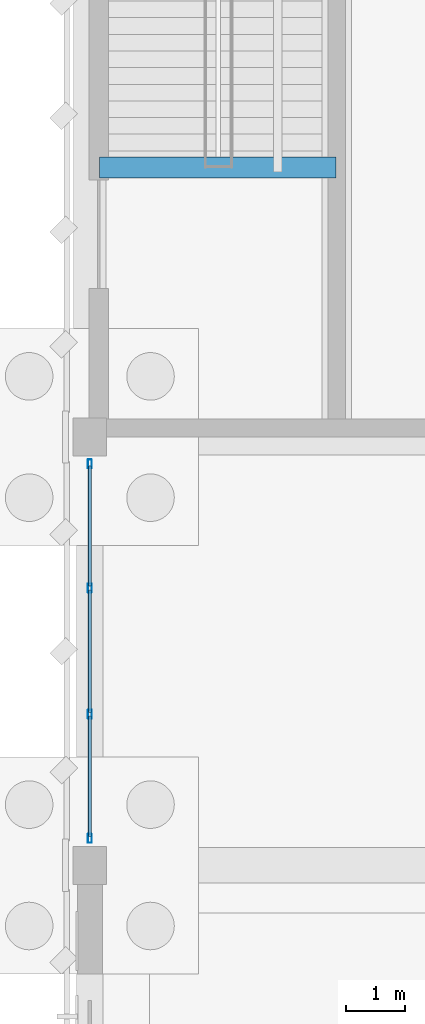
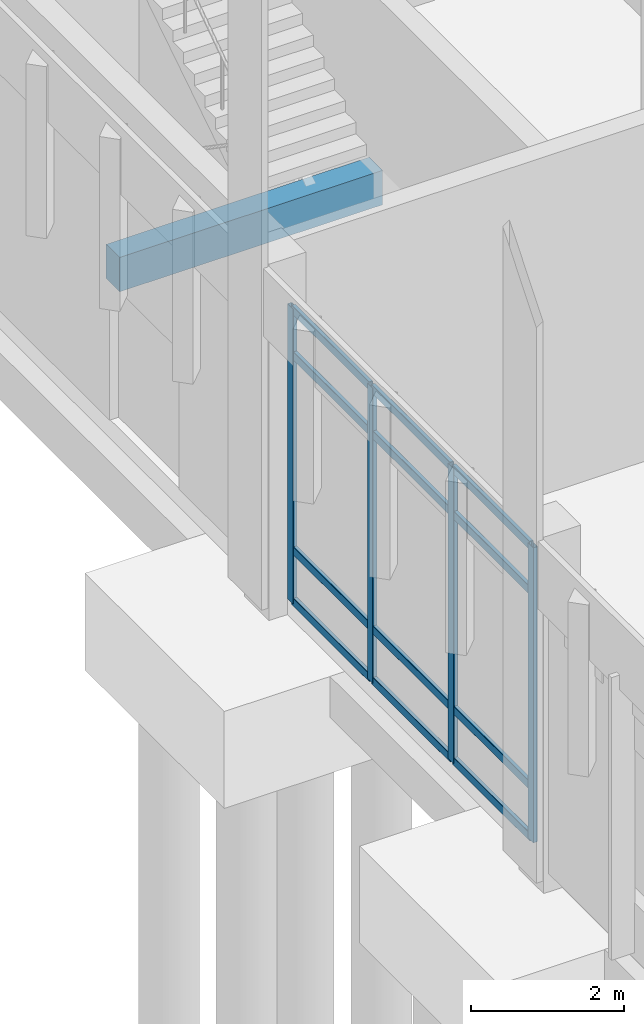
# One storey, part 41 of 109: 16 members, 1 beam, 1 element without a shape of its own.
"""IFC4 building model written with IfcOpenShell, lengths in metres."""

from ifc_helpers import new_model, si_unit, direction, frame, origin, origin_2d, place, context, subcontext, project, spatial, rectangle, hollow_rectangle, extrude, material, material_profile, profile_set, type_object, element, aggregate, save


model = new_model("IFC4")

# Units and contexts
model_context = context("Model", 3, precision=1e-05, world=origin(), true_north=direction((0.0, 1.0)))
body_context = subcontext(model_context, "Body", "Model", "MODEL_VIEW")
ifc_project = project(units=[si_unit("LENGTHUNIT", "METRE"), si_unit("AREAUNIT", "SQUARE_METRE"), si_unit("VOLUMEUNIT", "CUBIC_METRE"), si_unit("PLANEANGLEUNIT", "RADIAN"), si_unit("MASSUNIT", "GRAM", prefix="KILO")], contexts=[model_context])

# Site, building, storey
site_placement = place(None, origin())
site = spatial("IfcSite", under=ifc_project, at=site_placement, CompositionType="ELEMENT")
building_placement = place(site_placement, origin())
building = spatial("IfcBuilding", under=site, at=building_placement, Name="Lusvemor Sports Hall", CompositionType="ELEMENT")
storey_placement = place(building_placement, origin())
storey = spatial("IfcBuildingStorey", under=building, at=storey_placement, Name="L00", CompositionType="ELEMENT", Elevation=0.0)

# Beam
ifc_material_1 = material(Name="Concrete C40/50", Category="concrete")
ifc_material_profile_1 = material_profile(ifc_material_1, rectangle(XDim=0.35009765625, YDim=0.550048828125, at=origin_2d()), Name="RC350x550")
ifc_profile_set_1 = profile_set([ifc_material_profile_1], Name="Concrete C40/50")
beam_type = type_object("IfcBeamType", Name="BEAM_RC_550", PredefinedType="BEAM", material=ifc_profile_set_1)
beam_placement = place(storey_placement, frame((0.159912109375, 108.929931640625, 2.2451171875), z_axis=(1.0, 0.0, 0.0), x_axis=(0.0, 1.0, 0.0)))
element("IfcBeam", 1, at=beam_placement, inside=storey, type_object=beam_type, Name="Stair STR-C1-L00 Mid-Landing Beam", PredefinedType="BEAM", context=body_context, shape_type="SweptSolid", body=[
    extrude(rectangle(XDim=0.35009765625, YDim=0.550048828125, at=origin_2d()), origin(), (0.0, 0.0, 1.0), 3.97998046875),
])

# Curtain wall, members
ifc_material_2 = material(Name="Thermally broken bronze-anodized aluminium", Category="aluminium")
curtain_wall_type = type_object("IfcCurtainWallType", Name="CW_WING_B", PredefinedType="NOTDEFINED", material=ifc_material_2)
curtain_wall_placement = place(storey_placement, origin())
curtain_wall = element("IfcCurtainWall", 2, at=curtain_wall_placement, inside=storey, type_object=curtain_wall_type, Name="Curtain Wall CW-L00-W-0-7", PredefinedType="NOTDEFINED")
ifc_material_3 = material(Name="Thermally broken bronze-anodized aluminium", Category="aluminium")
ifc_material_profile_2 = material_profile(ifc_material_3, hollow_rectangle(XDim=0.06494140625, YDim=0.14990234375, WallThickness=0.00390625, InnerFilletRadius=0.00390625, OuterFilletRadius=0.008056640625, at=origin_2d()), Name="CWMUL150x65x4")
ifc_profile_set_2 = profile_set([ifc_material_profile_2], Name="Thermally broken bronze-anodized aluminium")
member_type_1 = type_object("IfcMemberType", Name="CW_MUL_B", PredefinedType="MULLION", material=ifc_profile_set_2)
member_1_placement = place(storey_placement, frame((0.0, 97.652587890625, 0.0), z_axis=(0.0, 0.0, 1.0), x_axis=(-1.0, 0.0, 0.0)))
member_1 = element("IfcMember", 3, at=member_1_placement, type_object=member_type_1, Name="CW02 mullion 1", PredefinedType="MULLION", context=body_context, shape_type="SweptSolid", body=[
    extrude(hollow_rectangle(XDim=0.06494140625, YDim=0.14990234375, WallThickness=0.00390625, InnerFilletRadius=0.00390625, OuterFilletRadius=0.008056640625, at=origin_2d()), origin(), (0.0, 0.0, 1.0), 4.719970703125),
])
member_2_placement = place(storey_placement, frame((0.0, 99.739990234375, 0.0), z_axis=(0.0, 0.0, 1.0), x_axis=(-1.0, 0.0, 0.0)))
member_2 = element("IfcMember", 4, at=member_2_placement, type_object=member_type_1, Name="CW02 mullion 2", PredefinedType="MULLION", context=body_context, shape_type="SweptSolid", body=[
    extrude(hollow_rectangle(XDim=0.06494140625, YDim=0.14990234375, WallThickness=0.00390625, InnerFilletRadius=0.00390625, OuterFilletRadius=0.008056640625, at=origin_2d()), origin(), (0.0, 0.0, 1.0), 4.719970703125),
])
member_3_placement = place(storey_placement, frame((0.0, 101.860107421875, 0.0), z_axis=(0.0, 0.0, 1.0), x_axis=(-1.0, 0.0, 0.0)))
member_3 = element("IfcMember", 5, at=member_3_placement, type_object=member_type_1, Name="CW02 mullion 3", PredefinedType="MULLION", context=body_context, shape_type="SweptSolid", body=[
    extrude(hollow_rectangle(XDim=0.06494140625, YDim=0.14990234375, WallThickness=0.00390625, InnerFilletRadius=0.00390625, OuterFilletRadius=0.008056640625, at=origin_2d()), origin(), (0.0, 0.0, 1.0), 4.719970703125),
])
member_4_placement = place(storey_placement, frame((0.0, 103.947509765625, 0.0), z_axis=(0.0, 0.0, 1.0), x_axis=(-1.0, 0.0, 0.0)))
member_4 = element("IfcMember", 6, at=member_4_placement, type_object=member_type_1, Name="CW02 mullion 4", PredefinedType="MULLION", context=body_context, shape_type="SweptSolid", body=[
    extrude(hollow_rectangle(XDim=0.06494140625, YDim=0.14990234375, WallThickness=0.00390625, InnerFilletRadius=0.00390625, OuterFilletRadius=0.008056640625, at=origin_2d()), origin(), (0.0, 0.0, 1.0), 4.719970703125),
])
ifc_material_4 = material(Name="Thermally broken bronze-anodized aluminium", Category="aluminium")
ifc_material_profile_3 = material_profile(ifc_material_4, hollow_rectangle(XDim=0.06005859375, YDim=0.135009765625, WallThickness=0.00390625, InnerFilletRadius=0.00390625, OuterFilletRadius=0.008056640625, at=origin_2d()), Name="CWTRN135x60x4")
ifc_profile_set_3 = profile_set([ifc_material_profile_3], Name="Thermally broken bronze-anodized aluminium")
member_type_2 = type_object("IfcMemberType", Name="CW_TRN_B", PredefinedType="USERDEFINED", material=ifc_profile_set_3)
member_5_placement = place(storey_placement, frame((0.0, 97.68505859375, 0.030029296875), z_axis=(0.0, 1.0, 0.0), x_axis=(-1.0, 0.0, 0.0)))
member_5 = element("IfcMember", 7, at=member_5_placement, type_object=member_type_2, Name="CW02 transom 1.1", ObjectType="TRANSOM", PredefinedType="USERDEFINED", context=body_context, shape_type="SweptSolid", body=[
    extrude(hollow_rectangle(XDim=0.06005859375, YDim=0.135009765625, WallThickness=0.00390625, InnerFilletRadius=0.00390625, OuterFilletRadius=0.008056640625, at=origin_2d()), origin(), (0.0, 0.0, 1.0), 2.0224609375),
])
member_6_placement = place(storey_placement, frame((0.0, 97.68505859375, 0.85009765625), z_axis=(0.0, 1.0, 0.0), x_axis=(-1.0, 0.0, 0.0)))
member_6 = element("IfcMember", 8, at=member_6_placement, type_object=member_type_2, Name="CW02 transom 1.2", ObjectType="TRANSOM", PredefinedType="USERDEFINED", context=body_context, shape_type="SweptSolid", body=[
    extrude(hollow_rectangle(XDim=0.06005859375, YDim=0.135009765625, WallThickness=0.00390625, InnerFilletRadius=0.00390625, OuterFilletRadius=0.008056640625, at=origin_2d()), origin(), (0.0, 0.0, 1.0), 2.0224609375),
])
member_7_placement = place(storey_placement, frame((0.0, 97.68505859375, 3.969970703125), z_axis=(0.0, 1.0, 0.0), x_axis=(-1.0, 0.0, 0.0)))
member_7 = element("IfcMember", 9, at=member_7_placement, type_object=member_type_2, Name="CW02 transom 1.3", ObjectType="TRANSOM", PredefinedType="USERDEFINED", context=body_context, shape_type="SweptSolid", body=[
    extrude(hollow_rectangle(XDim=0.06005859375, YDim=0.135009765625, WallThickness=0.00390625, InnerFilletRadius=0.00390625, OuterFilletRadius=0.008056640625, at=origin_2d()), origin(), (0.0, 0.0, 1.0), 2.0224609375),
])
member_8_placement = place(storey_placement, frame((0.0, 97.68505859375, 4.68994140625), z_axis=(0.0, 1.0, 0.0), x_axis=(-1.0, 0.0, 0.0)))
member_8 = element("IfcMember", 10, at=member_8_placement, type_object=member_type_2, Name="CW02 transom 1.4", ObjectType="TRANSOM", PredefinedType="USERDEFINED", context=body_context, shape_type="SweptSolid", body=[
    extrude(hollow_rectangle(XDim=0.06005859375, YDim=0.135009765625, WallThickness=0.00390625, InnerFilletRadius=0.00390625, OuterFilletRadius=0.008056640625, at=origin_2d()), origin(), (0.0, 0.0, 1.0), 2.0224609375),
])
member_9_placement = place(storey_placement, frame((0.0, 99.7724609375, 0.030029296875), z_axis=(0.0, 1.0, 0.0), x_axis=(-1.0, 0.0, 0.0)))
member_9 = element("IfcMember", 11, at=member_9_placement, type_object=member_type_2, Name="CW02 transom 2.1", ObjectType="TRANSOM", PredefinedType="USERDEFINED", context=body_context, shape_type="SweptSolid", body=[
    extrude(hollow_rectangle(XDim=0.06005859375, YDim=0.135009765625, WallThickness=0.00390625, InnerFilletRadius=0.00390625, OuterFilletRadius=0.008056640625, at=origin_2d()), origin(), (0.0, 0.0, 1.0), 2.054931640625),
])
member_10_placement = place(storey_placement, frame((0.0, 99.7724609375, 0.85009765625), z_axis=(0.0, 1.0, 0.0), x_axis=(-1.0, 0.0, 0.0)))
member_10 = element("IfcMember", 12, at=member_10_placement, type_object=member_type_2, Name="CW02 transom 2.2", ObjectType="TRANSOM", PredefinedType="USERDEFINED", context=body_context, shape_type="SweptSolid", body=[
    extrude(hollow_rectangle(XDim=0.06005859375, YDim=0.135009765625, WallThickness=0.00390625, InnerFilletRadius=0.00390625, OuterFilletRadius=0.008056640625, at=origin_2d()), origin(), (0.0, 0.0, 1.0), 2.054931640625),
])
member_11_placement = place(storey_placement, frame((0.0, 99.7724609375, 3.969970703125), z_axis=(0.0, 1.0, 0.0), x_axis=(-1.0, 0.0, 0.0)))
member_11 = element("IfcMember", 13, at=member_11_placement, type_object=member_type_2, Name="CW02 transom 2.3", ObjectType="TRANSOM", PredefinedType="USERDEFINED", context=body_context, shape_type="SweptSolid", body=[
    extrude(hollow_rectangle(XDim=0.06005859375, YDim=0.135009765625, WallThickness=0.00390625, InnerFilletRadius=0.00390625, OuterFilletRadius=0.008056640625, at=origin_2d()), origin(), (0.0, 0.0, 1.0), 2.054931640625),
])
member_12_placement = place(storey_placement, frame((0.0, 99.7724609375, 4.68994140625), z_axis=(0.0, 1.0, 0.0), x_axis=(-1.0, 0.0, 0.0)))
member_12 = element("IfcMember", 14, at=member_12_placement, type_object=member_type_2, Name="CW02 transom 2.4", ObjectType="TRANSOM", PredefinedType="USERDEFINED", context=body_context, shape_type="SweptSolid", body=[
    extrude(hollow_rectangle(XDim=0.06005859375, YDim=0.135009765625, WallThickness=0.00390625, InnerFilletRadius=0.00390625, OuterFilletRadius=0.008056640625, at=origin_2d()), origin(), (0.0, 0.0, 1.0), 2.054931640625),
])
member_13_placement = place(storey_placement, frame((0.0, 101.892578125, 0.030029296875), z_axis=(0.0, 1.0, 0.0), x_axis=(-1.0, 0.0, 0.0)))
member_13 = element("IfcMember", 15, at=member_13_placement, type_object=member_type_2, Name="CW02 transom 3.1", ObjectType="TRANSOM", PredefinedType="USERDEFINED", context=body_context, shape_type="SweptSolid", body=[
    extrude(hollow_rectangle(XDim=0.06005859375, YDim=0.135009765625, WallThickness=0.00390625, InnerFilletRadius=0.00390625, OuterFilletRadius=0.008056640625, at=origin_2d()), origin(), (0.0, 0.0, 1.0), 2.0224609375),
])
member_14_placement = place(storey_placement, frame((0.0, 101.892578125, 0.85009765625), z_axis=(0.0, 1.0, 0.0), x_axis=(-1.0, 0.0, 0.0)))
member_14 = element("IfcMember", 16, at=member_14_placement, type_object=member_type_2, Name="CW02 transom 3.2", ObjectType="TRANSOM", PredefinedType="USERDEFINED", context=body_context, shape_type="SweptSolid", body=[
    extrude(hollow_rectangle(XDim=0.06005859375, YDim=0.135009765625, WallThickness=0.00390625, InnerFilletRadius=0.00390625, OuterFilletRadius=0.008056640625, at=origin_2d()), origin(), (0.0, 0.0, 1.0), 2.0224609375),
])
member_15_placement = place(storey_placement, frame((0.0, 101.892578125, 3.969970703125), z_axis=(0.0, 1.0, 0.0), x_axis=(-1.0, 0.0, 0.0)))
member_15 = element("IfcMember", 17, at=member_15_placement, type_object=member_type_2, Name="CW02 transom 3.3", ObjectType="TRANSOM", PredefinedType="USERDEFINED", context=body_context, shape_type="SweptSolid", body=[
    extrude(hollow_rectangle(XDim=0.06005859375, YDim=0.135009765625, WallThickness=0.00390625, InnerFilletRadius=0.00390625, OuterFilletRadius=0.008056640625, at=origin_2d()), origin(), (0.0, 0.0, 1.0), 2.0224609375),
])
member_16_placement = place(storey_placement, frame((0.0, 101.892578125, 4.68994140625), z_axis=(0.0, 1.0, 0.0), x_axis=(-1.0, 0.0, 0.0)))
member_16 = element("IfcMember", 18, at=member_16_placement, type_object=member_type_2, Name="CW02 transom 3.4", ObjectType="TRANSOM", PredefinedType="USERDEFINED", context=body_context, shape_type="SweptSolid", body=[
    extrude(hollow_rectangle(XDim=0.06005859375, YDim=0.135009765625, WallThickness=0.00390625, InnerFilletRadius=0.00390625, OuterFilletRadius=0.008056640625, at=origin_2d()), origin(), (0.0, 0.0, 1.0), 2.0224609375),
])
aggregate(curtain_wall, [member_1, member_2, member_3, member_4, member_5, member_6, member_7, member_8, member_9, member_10, member_11, member_12, member_13, member_14, member_15, member_16])

save(model, "model.ifc")
